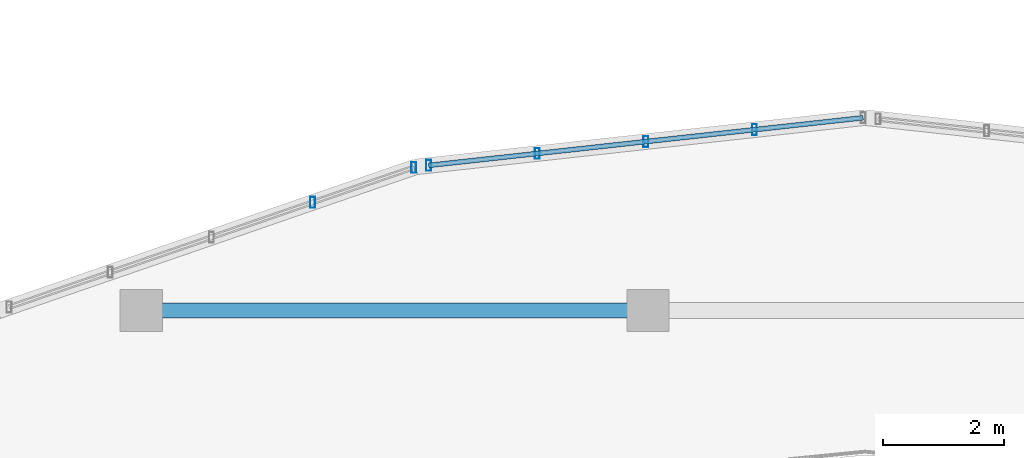
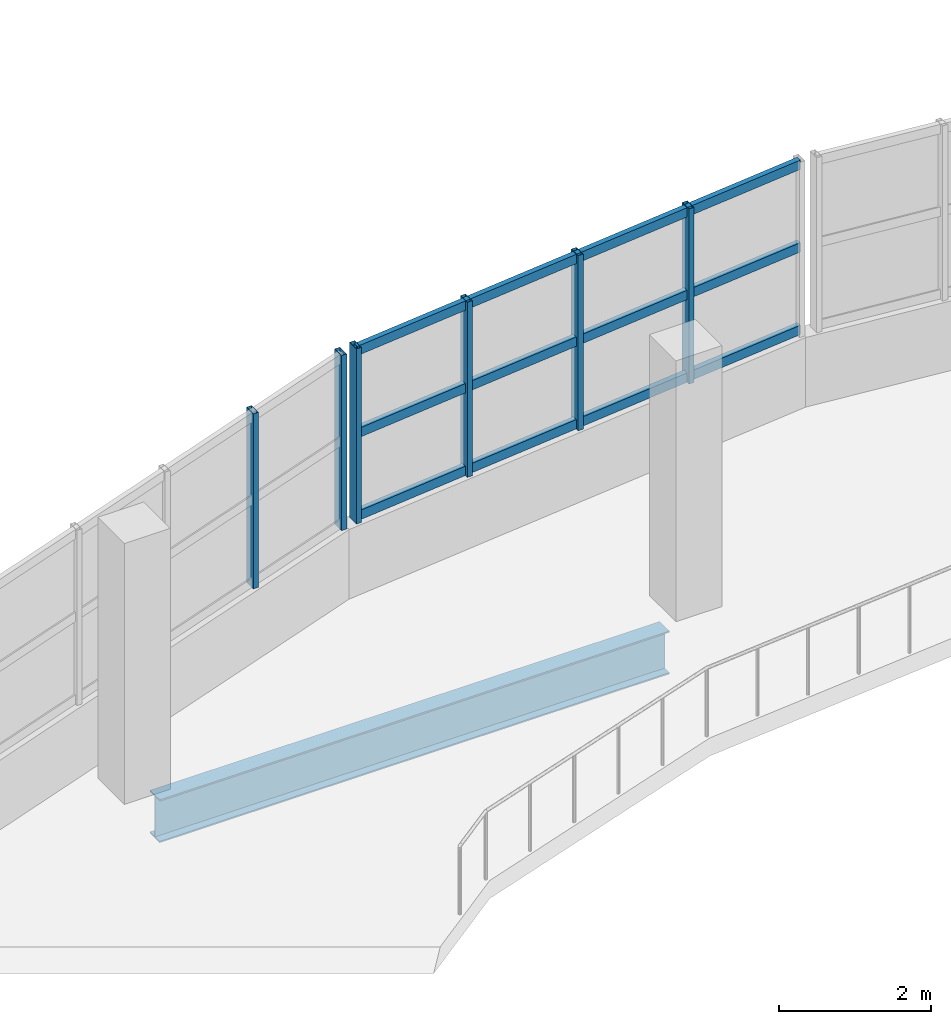
# One storey, part 15 of 52: 9 members, 1 beam, 2 elements without a shape of their own.
"""IFC4 building model written with IfcOpenShell, lengths in metres."""

from ifc_helpers import new_model, si_unit, direction, frame, origin, origin_2d, place, context, subcontext, project, spatial, hollow_rectangle, i_section, extrude, material, material_profile, profile_set, type_object, element, aggregate, save


model = new_model("IFC4")

# Units and contexts
model_context = context("Model", 3, precision=1e-05, world=origin(), true_north=direction((0.0, 1.0)))
body_context = subcontext(model_context, "Body", "Model", "MODEL_VIEW")
ifc_project = project(units=[si_unit("LENGTHUNIT", "METRE"), si_unit("AREAUNIT", "SQUARE_METRE"), si_unit("VOLUMEUNIT", "CUBIC_METRE"), si_unit("PLANEANGLEUNIT", "RADIAN"), si_unit("MASSUNIT", "GRAM", prefix="KILO")], contexts=[model_context])

# Site, building, storey
site_placement = place(None, origin())
site = spatial("IfcSite", under=ifc_project, at=site_placement, CompositionType="ELEMENT")
building_placement = place(site_placement, origin())
building = spatial("IfcBuilding", under=site, at=building_placement, Name="Solvento Point Concert Hall", CompositionType="ELEMENT")
storey_placement = place(building_placement, frame((0.0, 0.0, 19.5)))
storey = spatial("IfcBuildingStorey", under=building, at=storey_placement, Name="L04", CompositionType="ELEMENT", Elevation=19.5)

# Beam
ifc_material_1 = material(Name="Structural Steel ASTM A992 Grade 50", Category="steel")
ifc_material_profile_1 = material_profile(ifc_material_1, i_section(OverallWidth=0.256103515625, OverallDepth=0.693115234375, WebThickness=0.014404296875, FlangeThickness=0.023681640625, at=origin_2d()), Name="W27X114")
ifc_profile_set_1 = profile_set([ifc_material_profile_1], Name="Structural Steel ASTM A992 Grade 50")
beam_type = type_object("IfcBeamType", Name="Girder_W27X114", PredefinedType="USERDEFINED", material=ifc_profile_set_1)
beam_placement = place(storey_placement, frame((49.51904296875, 51.0, -0.640380859375), z_axis=(1.0, 0.0, 0.0), x_axis=(0.0, 1.0, 0.0)))
element("IfcBeam", 1, at=beam_placement, inside=storey, type_object=beam_type, Name="Primary girder B-23 L04", ObjectType="GIRDER", PredefinedType="USERDEFINED", context=body_context, shape_type="SweptSolid", body=[
    extrude(i_section(OverallWidth=0.256103515625, OverallDepth=0.693115234375, WebThickness=0.014404296875, FlangeThickness=0.023681640625, at=origin_2d()), origin(), (0.0, 0.0, 1.0), 7.761962890625),
])

# Curtain wall, members
ifc_material_2 = material(Name="Anodized Bronze Aluminium", Category="aluminium")
curtain_wall_type = type_object("IfcCurtainWallType", Name="CurtainWall_RingRibbon_L03_04", PredefinedType="USERDEFINED", material=ifc_material_2)
curtain_wall_1_placement = place(storey_placement, origin())
curtain_wall_1 = element("IfcCurtainWall", 2, at=curtain_wall_1_placement, inside=storey, type_object=curtain_wall_type, Name="Unitised curtain wall CW-31 UCW-L04-219", ObjectType="UNITISED CURTAIN WALL", PredefinedType="USERDEFINED")
ifc_material_3 = material(Name="Anodized Bronze Aluminium", Category="aluminium")
ifc_material_profile_2 = material_profile(ifc_material_3, hollow_rectangle(XDim=0.080078125, YDim=0.179931640625, WallThickness=0.00390625, at=origin_2d()), Name="CW-MUL-80X180")
ifc_profile_set_2 = profile_set([ifc_material_profile_2], Name="Anodized Bronze Aluminium")
member_type_1 = type_object("IfcMemberType", Name="Mullion_80x180", PredefinedType="MULLION", material=ifc_profile_set_2)
member_1_placement = place(storey_placement, frame((52.040283203125, 52.79345703125, 1.1201171875), z_axis=(0.0, 0.0, 1.0), x_axis=(1.0, 0.0, 0.0)))
member_1 = element("IfcMember", 3, at=member_1_placement, type_object=member_type_1, Name="Curtain wall mullion ML-01", PredefinedType="MULLION", context=body_context, shape_type="SweptSolid", body=[
    extrude(hollow_rectangle(XDim=0.080078125, YDim=0.179931640625, WallThickness=0.00390625, at=origin_2d()), origin(), (0.0, 0.0, 1.0), 2.81982421875),
])
member_2_placement = place(storey_placement, frame((53.717529296875, 53.372314453125, 1.1201171875), z_axis=(0.0, 0.0, 1.0), x_axis=(1.0, 0.0, 0.0)))
member_2 = element("IfcMember", 4, at=member_2_placement, type_object=member_type_1, Name="Curtain wall mullion ML-01", PredefinedType="MULLION", context=body_context, shape_type="SweptSolid", body=[
    extrude(hollow_rectangle(XDim=0.080078125, YDim=0.179931640625, WallThickness=0.00390625, at=origin_2d()), origin(), (0.0, 0.0, 1.0), 2.81982421875),
])
aggregate(curtain_wall_1, [member_1, member_2])

curtain_wall_2_placement = place(storey_placement, origin())
curtain_wall_2 = element("IfcCurtainWall", 5, at=curtain_wall_2_placement, inside=storey, type_object=curtain_wall_type, Name="Unitised curtain wall CW-31 UCW-L04-220", ObjectType="UNITISED CURTAIN WALL", PredefinedType="USERDEFINED")
member_3_placement = place(storey_placement, frame((53.964599609375, 53.40625, 1.1201171875), z_axis=(0.0, 0.0, 1.0), x_axis=(1.0, 0.0, 0.0)))
member_3 = element("IfcMember", 6, at=member_3_placement, type_object=member_type_1, Name="Curtain wall mullion ML-01", PredefinedType="MULLION", context=body_context, shape_type="SweptSolid", body=[
    extrude(hollow_rectangle(XDim=0.080078125, YDim=0.179931640625, WallThickness=0.00390625, at=origin_2d()), origin(), (0.0, 0.0, 1.0), 2.81982421875),
])
member_4_placement = place(storey_placement, frame((55.76611328125, 53.603759765625, 1.1201171875), z_axis=(0.0, 0.0, 1.0), x_axis=(1.0, 0.0, 0.0)))
member_4 = element("IfcMember", 7, at=member_4_placement, type_object=member_type_1, Name="Curtain wall mullion ML-01", PredefinedType="MULLION", context=body_context, shape_type="SweptSolid", body=[
    extrude(hollow_rectangle(XDim=0.080078125, YDim=0.179931640625, WallThickness=0.00390625, at=origin_2d()), origin(), (0.0, 0.0, 1.0), 2.81982421875),
])
member_5_placement = place(storey_placement, frame((57.5673828125, 53.801513671875, 1.1201171875), z_axis=(0.0, 0.0, 1.0), x_axis=(1.0, 0.0, 0.0)))
member_5 = element("IfcMember", 8, at=member_5_placement, type_object=member_type_1, Name="Curtain wall mullion ML-01", PredefinedType="MULLION", context=body_context, shape_type="SweptSolid", body=[
    extrude(hollow_rectangle(XDim=0.080078125, YDim=0.179931640625, WallThickness=0.00390625, at=origin_2d()), origin(), (0.0, 0.0, 1.0), 2.81982421875),
])
member_6_placement = place(storey_placement, frame((59.368896484375, 53.9990234375, 1.1201171875), z_axis=(0.0, 0.0, 1.0), x_axis=(1.0, 0.0, 0.0)))
member_6 = element("IfcMember", 9, at=member_6_placement, type_object=member_type_1, Name="Curtain wall mullion ML-01", PredefinedType="MULLION", context=body_context, shape_type="SweptSolid", body=[
    extrude(hollow_rectangle(XDim=0.080078125, YDim=0.179931640625, WallThickness=0.00390625, at=origin_2d()), origin(), (0.0, 0.0, 1.0), 2.81982421875),
])
ifc_material_4 = material(Name="Anodized Bronze Aluminium", Category="aluminium")
ifc_material_profile_3 = material_profile(ifc_material_4, hollow_rectangle(XDim=0.080078125, YDim=0.14990234375, WallThickness=0.00390625, at=origin_2d()), Name="CW-TRN-80X150")
ifc_profile_set_3 = profile_set([ifc_material_profile_3], Name="Anodized Bronze Aluminium")
member_type_2 = type_object("IfcMemberType", Name="Transom_80x150", PredefinedType="USERDEFINED", material=ifc_profile_set_3)
member_7_placement = place(storey_placement, frame((53.964599609375, 53.40625, 1.199951171875), z_axis=(0.994035576175, 0.109056285006, 0.0), x_axis=(-0.109056285006, 0.994035576175, 0.0)))
member_7 = element("IfcMember", 10, at=member_7_placement, type_object=member_type_2, Name="Curtain wall transom TR-01", ObjectType="TRANSOM", PredefinedType="USERDEFINED", context=body_context, shape_type="SweptSolid", body=[
    extrude(hollow_rectangle(XDim=0.080078125, YDim=0.14990234375, WallThickness=0.00390625, at=origin_2d()), origin(), (0.0, 0.0, 1.0), 7.248779296875),
])
member_8_placement = place(storey_placement, frame((53.964599609375, 53.40625, 2.530029296875), z_axis=(0.994035576175, 0.109056285006, 0.0), x_axis=(-0.109056285006, 0.994035576175, 0.0)))
member_8 = element("IfcMember", 11, at=member_8_placement, type_object=member_type_2, Name="Curtain wall transom TR-01", ObjectType="TRANSOM", PredefinedType="USERDEFINED", context=body_context, shape_type="SweptSolid", body=[
    extrude(hollow_rectangle(XDim=0.080078125, YDim=0.14990234375, WallThickness=0.00390625, at=origin_2d()), origin(), (0.0, 0.0, 1.0), 7.248779296875),
])
member_9_placement = place(storey_placement, frame((53.964599609375, 53.40625, 3.860107421875), z_axis=(0.994035576175, 0.109056285006, 0.0), x_axis=(-0.109056285006, 0.994035576175, 0.0)))
member_9 = element("IfcMember", 12, at=member_9_placement, type_object=member_type_2, Name="Curtain wall transom TR-01", ObjectType="TRANSOM", PredefinedType="USERDEFINED", context=body_context, shape_type="SweptSolid", body=[
    extrude(hollow_rectangle(XDim=0.080078125, YDim=0.14990234375, WallThickness=0.00390625, at=origin_2d()), origin(), (0.0, 0.0, 1.0), 7.248779296875),
])
aggregate(curtain_wall_2, [member_3, member_4, member_5, member_6, member_7, member_8, member_9])

save(model, "model.ifc")
